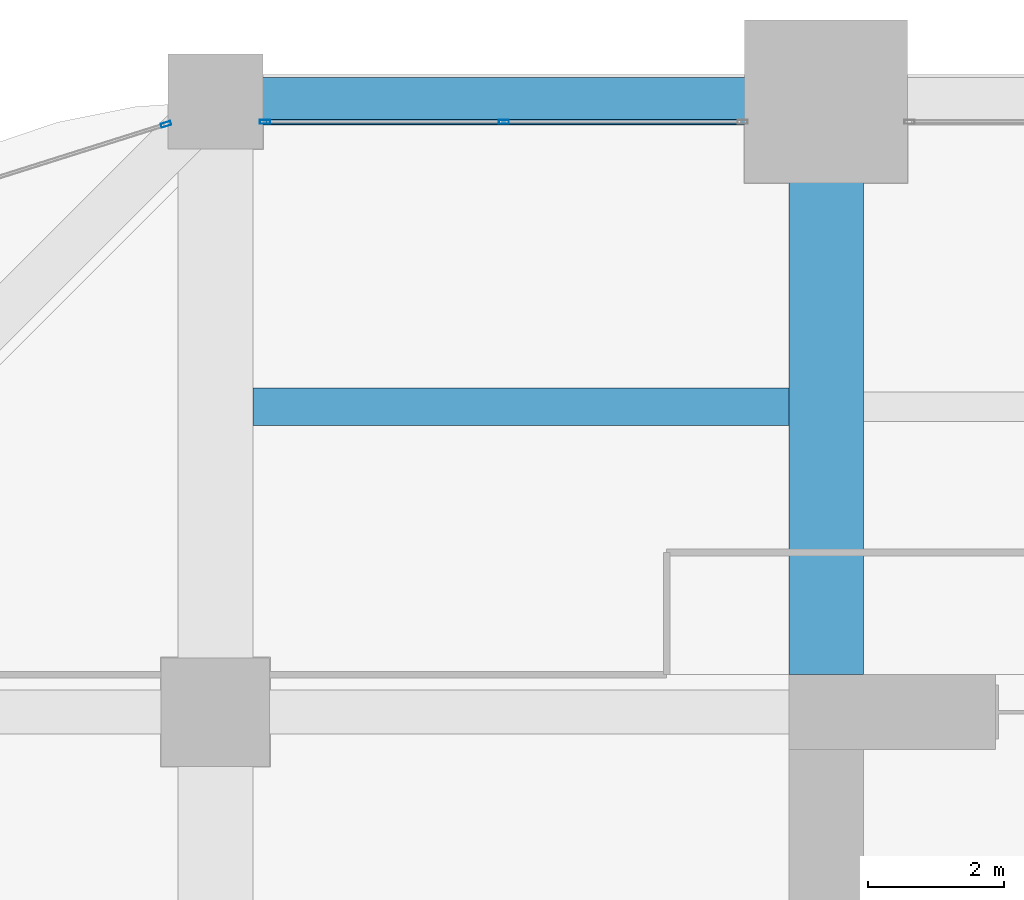
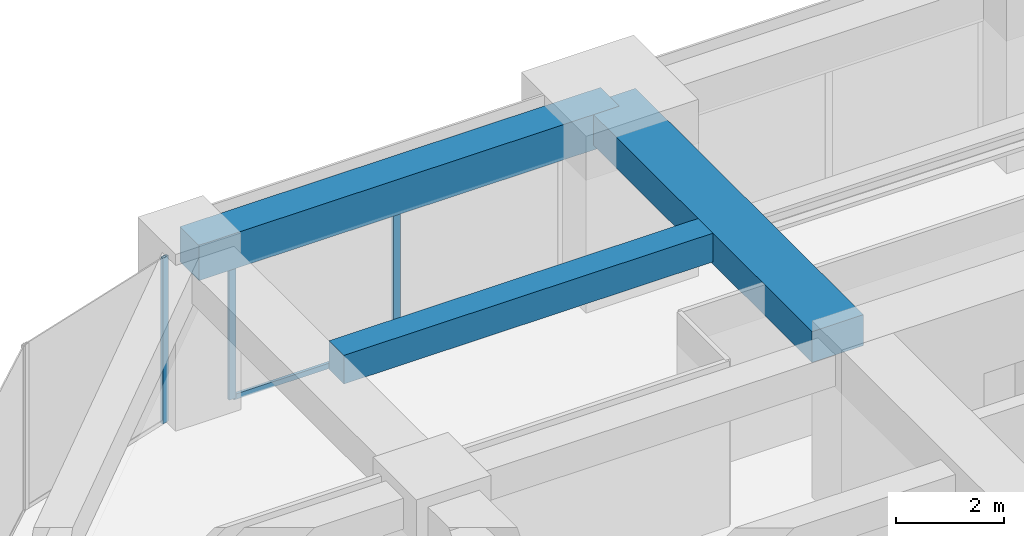
# One storey, part 23 of 34: 4 members, 3 beams, 2 elements without a shape of their own.
"""IFC4 building model written with IfcOpenShell, lengths in metres."""

from ifc_helpers import new_model, si_unit, direction, frame, origin, origin_2d, place, context, subcontext, project, spatial, rectangle, hollow_rectangle, extrude, material, material_profile, profile_set, type_object, element, aggregate, save


model = new_model("IFC4")

# Units and contexts
model_context = context("Model", 3, precision=1e-05, world=origin(), true_north=direction((0.0, 1.0)))
body_context = subcontext(model_context, "Body", "Model", "MODEL_VIEW")
ifc_project = project(units=[si_unit("LENGTHUNIT", "METRE"), si_unit("AREAUNIT", "SQUARE_METRE"), si_unit("VOLUMEUNIT", "CUBIC_METRE"), si_unit("PLANEANGLEUNIT", "RADIAN"), si_unit("MASSUNIT", "GRAM", prefix="KILO")], contexts=[model_context])

# Site, building, storey
site_placement = place(None, origin())
site = spatial("IfcSite", under=ifc_project, at=site_placement, CompositionType="ELEMENT")
building_placement = place(site_placement, origin())
building = spatial("IfcBuilding", under=site, at=building_placement, Name="Zorevar Civic Tower", CompositionType="ELEMENT")
storey_placement = place(building_placement, frame((0.0, 0.0, 174.199951171875)))
storey = spatial("IfcBuildingStorey", under=building, at=storey_placement, Name="L42", CompositionType="ELEMENT", Elevation=174.199951171875)

# Beams
ifc_material_1 = material(Name="Concrete C50/60", Category="concrete")
ifc_material_profile_1 = material_profile(ifc_material_1, rectangle(XDim=1.10009765625, YDim=0.699951171875, at=origin_2d()), Name="RC 1100x700")
ifc_profile_set_1 = profile_set([ifc_material_profile_1], Name="Concrete C50/60")
beam_type_1 = type_object("IfcBeamType", Name="Beam RC 1100x700", PredefinedType="BEAM", material=ifc_profile_set_1)
beam_1_placement = place(storey_placement, frame((18.0, 36.550048828125, 3.400146484375), z_axis=(0.0, 1.0, 0.0), x_axis=(-1.0, 0.0, 0.0)))
element("IfcBeam", 1, at=beam_1_placement, inside=storey, type_object=beam_type_1, Name="Girder L43", PredefinedType="BEAM", context=body_context, shape_type="SweptSolid", body=[
    extrude(rectangle(XDim=1.10009765625, YDim=0.699951171875, at=origin_2d()), origin(), (0.0, 0.0, 1.0), 8.449951171875),
])
ifc_material_2 = material(Name="Concrete C50/60", Category="concrete")
ifc_material_profile_2 = material_profile(ifc_material_2, rectangle(XDim=0.550048828125, YDim=0.64990234375, at=origin_2d()), Name="RC 550x650")
ifc_profile_set_2 = profile_set([ifc_material_profile_2], Name="Concrete C50/60")
beam_type_2 = type_object("IfcBeamType", Name="Beam RC 550x650", PredefinedType="BEAM", material=ifc_profile_set_2)
beam_2_placement = place(storey_placement, frame((9.550048828125, 40.5, 3.425048828125), z_axis=(1.0, 0.0, 0.0), x_axis=(0.0, 1.0, 0.0)))
element("IfcBeam", 2, at=beam_2_placement, inside=storey, type_object=beam_type_2, Name="Secondary beam L43", PredefinedType="BEAM", context=body_context, shape_type="SweptSolid", body=[
    extrude(rectangle(XDim=0.550048828125, YDim=0.64990234375, at=origin_2d()), origin(), (0.0, 0.0, 1.0), 7.89990234375),
])

# Curtain wall, members
ifc_material_3 = material(Name="Dark grey solar-control glass in black aluminium frame", Category="aluminium")
curtain_wall_type = type_object("IfcCurtainWallType", Name="Curtain wall CW4 high zone", PredefinedType="NOTDEFINED", material=ifc_material_3)
curtain_wall_1_placement = place(storey_placement, origin())
curtain_wall_1 = element("IfcCurtainWall", 3, at=curtain_wall_1_placement, inside=storey, type_object=curtain_wall_type, Name="CW4 L42", PredefinedType="NOTDEFINED")
ifc_material_4 = material(Name="Aluminium, black anodised", Category="aluminium")
ifc_material_profile_3 = material_profile(ifc_material_4, hollow_rectangle(XDim=0.06005859375, YDim=0.14990234375, WallThickness=0.00390625, at=origin_2d()), Name="AL 150x60x4")
ifc_profile_set_3 = profile_set([ifc_material_profile_3], Name="Aluminium, black anodised")
member_type_1 = type_object("IfcMemberType", Name="CW4 mullion AL 150x60x4", PredefinedType="MULLION", material=ifc_profile_set_3)
member_1_placement = place(storey_placement, frame((9.72998046875, 44.699951171875, 0.0), z_axis=(0.0, 0.0, 1.0), x_axis=(0.0, 1.0, 0.0)))
member_1 = element("IfcMember", 4, at=member_1_placement, type_object=member_type_1, Name="CW4 mullion 1", PredefinedType="MULLION", context=body_context, shape_type="SweptSolid", body=[
    extrude(hollow_rectangle(XDim=0.06005859375, YDim=0.14990234375, WallThickness=0.00390625, at=origin_2d()), origin(), (0.0, 0.0, 1.0), 2.949951171875),
])
member_2_placement = place(storey_placement, frame((13.25, 44.699951171875, 0.06005859375), z_axis=(0.0, 0.0, 1.0), x_axis=(0.0, 1.0, 0.0)))
member_2 = element("IfcMember", 5, at=member_2_placement, type_object=member_type_1, Name="CW4 mullion 2", PredefinedType="MULLION", context=body_context, shape_type="SweptSolid", body=[
    extrude(hollow_rectangle(XDim=0.06005859375, YDim=0.14990234375, WallThickness=0.00390625, at=origin_2d()), origin(), (0.0, 0.0, 1.0), 2.889892578125),
])

# Curtain wall, member
curtain_wall_2_placement = place(storey_placement, origin())
curtain_wall_2 = element("IfcCurtainWall", 6, at=curtain_wall_2_placement, inside=storey, type_object=curtain_wall_type, Name="CW4 L42", PredefinedType="NOTDEFINED")
member_3_placement = place(storey_placement, frame((8.271484375, 44.66259765625, 0.0), z_axis=(0.0, 0.0, 1.0), x_axis=(0.301108296077, -0.953589950678, 0.0)))
member_3 = element("IfcMember", 7, at=member_3_placement, type_object=member_type_1, Name="CW4 mullion 1", PredefinedType="MULLION", context=body_context, shape_type="SweptSolid", body=[
    extrude(hollow_rectangle(XDim=0.06005859375, YDim=0.14990234375, WallThickness=0.00390625, at=origin_2d()), origin(), (0.0, 0.0, 1.0), 3.75),
])
aggregate(curtain_wall_2, [member_3])

# Member
ifc_material_5 = material(Name="Aluminium, black anodised", Category="aluminium")
ifc_material_profile_4 = material_profile(ifc_material_5, hollow_rectangle(XDim=0.06005859375, YDim=0.1201171875, WallThickness=0.0029296875, at=origin_2d()), Name="AL 120x60x3")
ifc_profile_set_4 = profile_set([ifc_material_profile_4], Name="Aluminium, black anodised")
member_type_2 = type_object("IfcMemberType", Name="CW4 transom AL 120x60x3", PredefinedType="USERDEFINED", material=ifc_profile_set_4)
member_4_placement = place(storey_placement, frame((9.760009765625, 44.699951171875, 0.030029296875), z_axis=(1.0, 0.0, 0.0), x_axis=(0.0, 1.0, 0.0)))
member_4 = element("IfcMember", 8, at=member_4_placement, type_object=member_type_2, Name="CW4 sill transom", ObjectType="TRANSOM", PredefinedType="USERDEFINED", context=body_context, shape_type="SweptSolid", body=[
    extrude(hollow_rectangle(XDim=0.06005859375, YDim=0.1201171875, WallThickness=0.0029296875, at=origin_2d()), origin(), (0.0, 0.0, 1.0), 6.97998046875),
])

aggregate(curtain_wall_1, [member_1, member_2, member_4])

# Beam
ifc_material_6 = material(Name="Concrete C50/60", Category="concrete")
ifc_material_profile_5 = material_profile(ifc_material_6, rectangle(XDim=0.699951171875, YDim=0.800048828125, at=origin_2d()), Name="RC 700x800")
ifc_profile_set_5 = profile_set([ifc_material_profile_5], Name="Concrete C50/60")
beam_type_3 = type_object("IfcBeamType", Name="Edge beam RC 700x800", PredefinedType="SPANDREL", material=ifc_profile_set_5)
beam_3_placement = place(storey_placement, frame((9.0, 45.0, 3.35009765625), z_axis=(1.0, 0.0, 0.0), x_axis=(0.0, 1.0, 0.0)))
element("IfcBeam", 9, at=beam_3_placement, inside=storey, type_object=beam_type_3, Name="Edge beam L43", PredefinedType="SPANDREL", context=body_context, shape_type="SweptSolid", body=[
    extrude(rectangle(XDim=0.699951171875, YDim=0.800048828125, at=origin_2d()), origin(), (0.0, 0.0, 1.0), 9.0),
])

save(model, "model.ifc")
